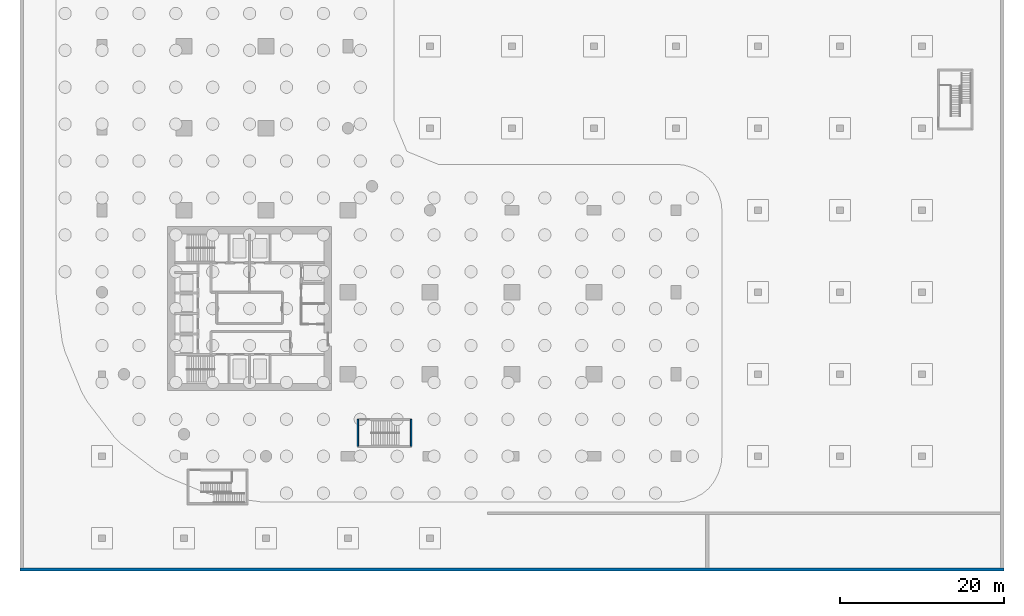
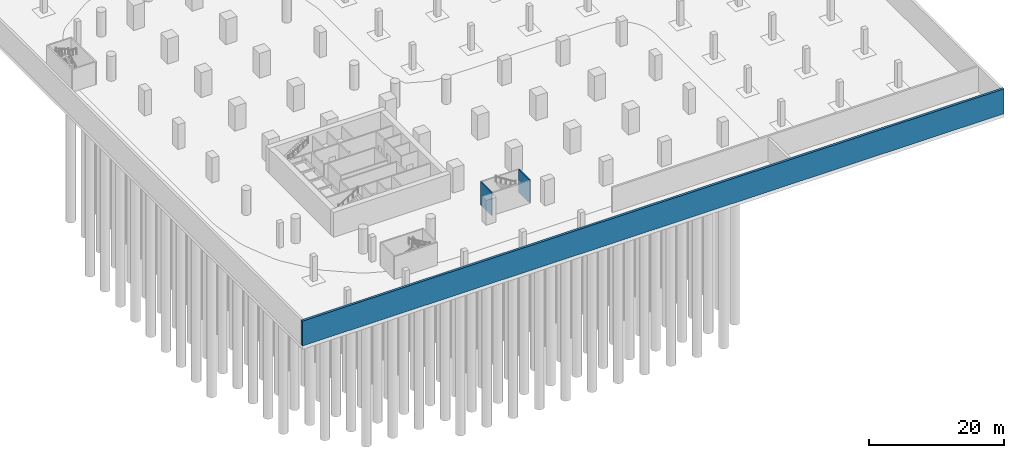
# One storey, part 6 of 19: 3 walls.
"""IFC4 building model written with IfcOpenShell, lengths in metres."""

from ifc_helpers import new_model, si_unit, direction, frame, frame_2d, origin, place, context, subcontext, project, spatial, rectangle, extrude, material, layer, layer_set, type_object, element, save


model = new_model("IFC4")

# Units and contexts
model_context = context("Model", 3, precision=1e-05, world=origin(), true_north=direction((0.0, 1.0)))
body_context = subcontext(model_context, "Body", "Model", "MODEL_VIEW")
ifc_project = project(units=[si_unit("LENGTHUNIT", "METRE"), si_unit("AREAUNIT", "SQUARE_METRE"), si_unit("VOLUMEUNIT", "CUBIC_METRE"), si_unit("PLANEANGLEUNIT", "RADIAN"), si_unit("MASSUNIT", "GRAM", prefix="KILO")], contexts=[model_context])

# Site, building, storey
site_placement = place(None, origin())
site = spatial("IfcSite", under=ifc_project, at=site_placement, CompositionType="ELEMENT")
building_placement = place(site_placement, origin())
building = spatial("IfcBuilding", under=site, at=building_placement, Name="Qaws Garden Tower", CompositionType="ELEMENT")
storey_placement = place(building_placement, frame((0.0, 0.0, -9.0)))
storey = spatial("IfcBuildingStorey", under=building, at=storey_placement, Name="B2", CompositionType="ELEMENT", Elevation=-9.0)

# Walls
ifc_material_1 = material(Name="Concrete C80", Category="concrete")
ifc_layer_1 = layer(ifc_material_1, 0.199951171875)
ifc_layer_set_1 = layer_set([ifc_layer_1], Name="Concrete C80")
wall_type_1 = type_object("IfcWallType", Name="Core shaft wall 200 C80", PredefinedType="SHEAR", material=ifc_layer_set_1)
for number, where, z_axis, x_axis, name in (
    (1, (31.199951171875, 1.199951171875, 0.0), (0.0, 0.0, 1.0), (0.0, 1.0, 0.0), "Shaft wall"),
    (2, (37.699951171875, 1.199951171875, 0.0), (0.0, 0.0, 1.0), (0.0, 1.0, 0.0), "Shaft wall"),
):
    element("IfcWall", number, at=place(storey_placement, frame(where, z_axis=z_axis, x_axis=x_axis)), inside=storey, type_object=wall_type_1, Name=name, PredefinedType="SHEAR", context=body_context, shape_type="SweptSolid", body=[
        extrude(rectangle(XDim=3.300048828125, YDim=0.199951171875, at=frame_2d((1.64990234375, 0.0))), origin(), (0.0, 0.0, 1.0), 4.10009765625),
    ])
ifc_material_2 = material(Name="Concrete C45", Category="concrete")
ifc_layer_2 = layer(ifc_material_2, 0.39990234375)
ifc_layer_set_2 = layer_set([ifc_layer_2], Name="Concrete C45")
wall_type_2 = type_object("IfcWallType", Name="Retaining wall 400", PredefinedType="SOLIDWALL", material=ifc_layer_set_2)
wall_placement = place(storey_placement, frame((-10.0, -13.800048828125, 0.0), z_axis=(0.0, 0.0, 1.0), x_axis=(1.0, 0.0, 0.0)))
element("IfcWall", 3, at=wall_placement, inside=storey, type_object=wall_type_2, Name="Retaining wall S B2", PredefinedType="SOLIDWALL", context=body_context, shape_type="SweptSolid", body=[
    extrude(rectangle(XDim=120.0, YDim=0.39990234375, at=frame_2d((60.0, 0.0))), origin(), (0.0, 0.0, 1.0), 4.5),
])

save(model, "model.ifc")
